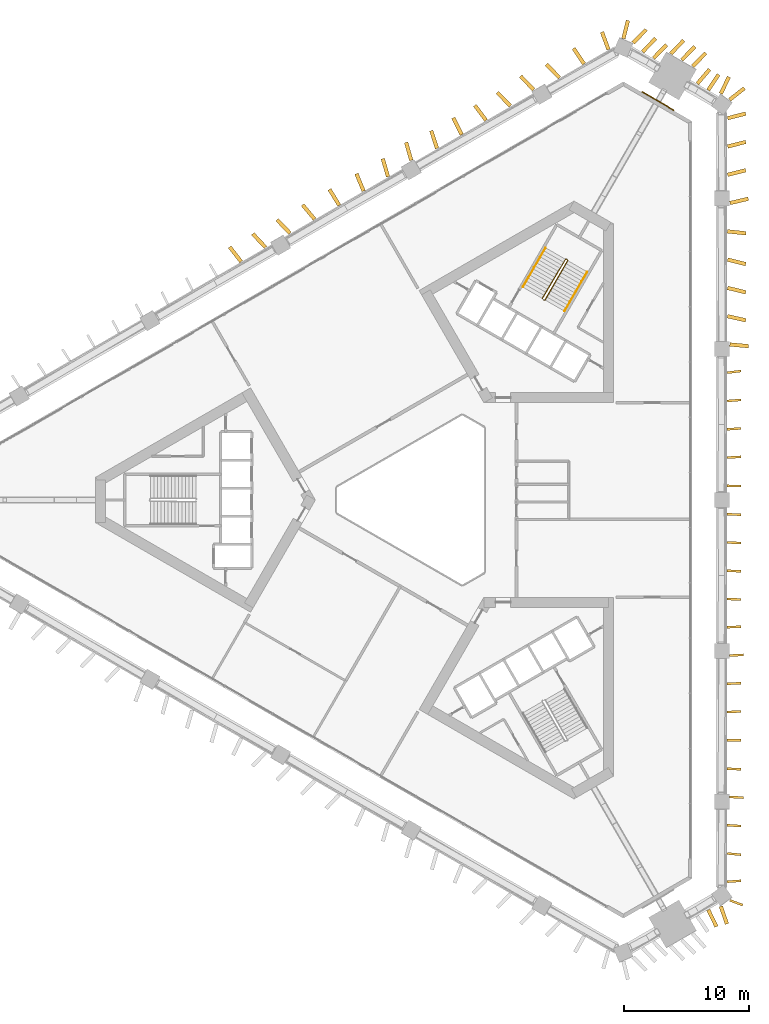
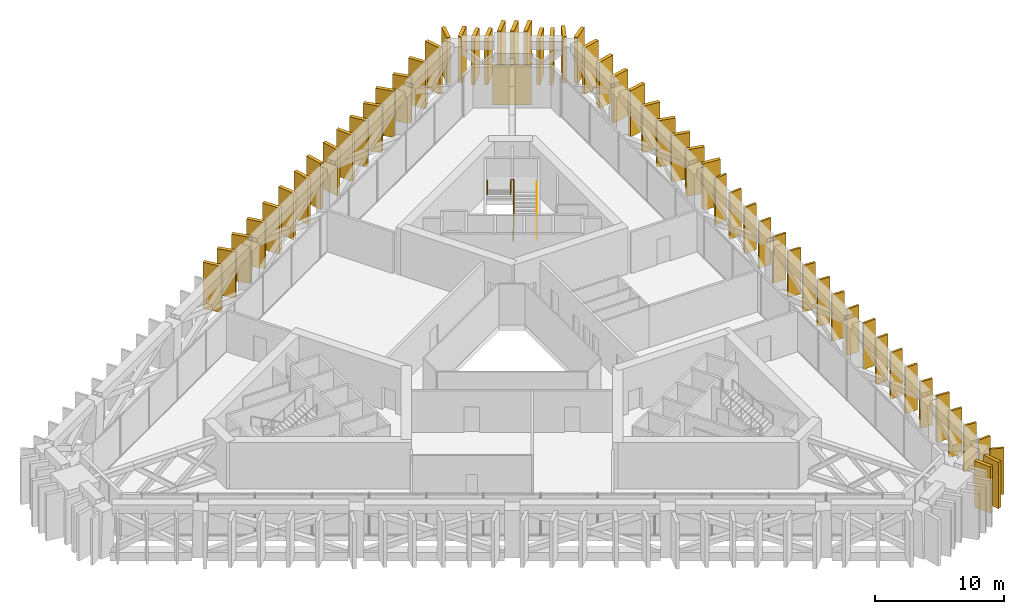
# One storey, part 18 of 18: 58 shading devices, 3 railings, 1 covering.
"""IFC4 building model written with IfcOpenShell, lengths in metres."""

from ifc_helpers import new_model, si_unit, direction, frame, frame_2d, origin, origin_2d, place, context, subcontext, project, spatial, rectangle, circle, extrude, material, layer, layer_set, type_object, element, save


model = new_model("IFC4")

# Units and contexts
model_context = context("Model", 3, precision=1e-05, world=origin(), true_north=direction((0.0, 1.0)))
body_context = subcontext(model_context, "Body", "Model", "MODEL_VIEW")
ifc_project = project(units=[si_unit("LENGTHUNIT", "METRE"), si_unit("AREAUNIT", "SQUARE_METRE"), si_unit("VOLUMEUNIT", "CUBIC_METRE"), si_unit("PLANEANGLEUNIT", "RADIAN"), si_unit("MASSUNIT", "GRAM", prefix="KILO")], contexts=[model_context])

# Site, building, storey
site_placement = place(None, origin())
site = spatial("IfcSite", under=ifc_project, at=site_placement, CompositionType="ELEMENT")
building_placement = place(site_placement, origin())
building = spatial("IfcBuilding", under=site, at=building_placement, Name="Jabali Bay Hotel Tower and Convention Centre", CompositionType="ELEMENT")
storey_placement = place(building_placement, frame((0.0, 0.0, 52.89990234375)))
storey = spatial("IfcBuildingStorey", under=building, at=storey_placement, Name="L11", CompositionType="ELEMENT", Elevation=52.89990234375)

# Shading devices
ifc_material_1 = material(Name="Precast concrete C60", Category="concrete")
ifc_layer_1 = layer(ifc_material_1, 0.179931640625)
ifc_layer_set_1 = layer_set([ifc_layer_1], Name="Precast concrete C60")
shading_device_type_1 = type_object("IfcShadingDeviceType", Name="Precast fin 4380 x 1100", PredefinedType="USERDEFINED", material=ifc_layer_set_1)
for number, where, z_axis, x_axis, name in (
    (1, (98.994140625, 49.412841796875, 0.010009765625), (0.0, 0.0, 1.0), (0.997347101298, 0.072792578822, 0.0), "Fin L11 000"),
    (2, (98.99560546875, 51.678466796875, 0.010009765625), (0.0, 0.0, 1.0), (0.996051735078, -0.088774664445, 0.0), "Fin L11 001"),
):
    element("IfcShadingDevice", number, at=place(storey_placement, frame(where, z_axis=z_axis, x_axis=x_axis)), inside=storey, type_object=shading_device_type_1, Name=name, ObjectType="FIN", PredefinedType="USERDEFINED", context=body_context, shape_type="SweptSolid", body=[
        extrude(rectangle(XDim=1.10009765625, YDim=0.179931640625, at=frame_2d((0.550048828125, 0.0))), origin(), (0.0, 0.0, 1.0), 4.380126953125),
    ])
shading_device_1_placement = place(storey_placement, frame((98.993408203125, 53.9443359375, 0.010009765625), z_axis=(0.0, 0.0, 1.0), x_axis=(0.997911947215, -0.064589051744, 0.0)))
element("IfcShadingDevice", 3, at=shading_device_1_placement, inside=storey, type_object=shading_device_type_1, Name="Fin L11 002", ObjectType="FIN", PredefinedType="USERDEFINED", context=body_context, shape_type="SweptSolid", body=[
    extrude(rectangle(XDim=1.099853515625, YDim=0.179931640625, at=frame_2d((0.5498046875, 0.0))), origin(), (0.0, 0.0, 1.0), 4.380126953125),
])
shading_device_2_placement = place(storey_placement, frame((99.192626953125, 56.2099609375, 0.010009765625), z_axis=(0.0, 0.0, 1.0), x_axis=(0.998471940089, -0.055261060921, 0.0)))
element("IfcShadingDevice", 4, at=shading_device_2_placement, inside=storey, type_object=shading_device_type_1, Name="Fin L11 003", ObjectType="FIN", PredefinedType="USERDEFINED", context=body_context, shape_type="SweptSolid", body=[
    extrude(rectangle(XDim=1.10009765625, YDim=0.179931640625, at=frame_2d((0.550048828125, 0.0))), origin(), (0.0, 0.0, 1.0), 4.380126953125),
])
for number, where, z_axis, x_axis, name in (
    (5, (98.992431640625, 58.475830078125, 0.010009765625), (0.0, 0.0, 1.0), (0.998650137033, -0.051941349648, 0.0), "Fin L11 004"),
    (6, (98.98828125, 60.741455078125, 0.010009765625), (0.0, 0.0, 1.0), (0.999980685481, 0.006215196269, 0.0), "Fin L11 005"),
):
    element("IfcShadingDevice", number, at=place(storey_placement, frame(where, z_axis=z_axis, x_axis=x_axis)), inside=storey, type_object=shading_device_type_1, Name=name, ObjectType="FIN", PredefinedType="USERDEFINED", context=body_context, shape_type="SweptSolid", body=[
        extrude(rectangle(XDim=1.099853515625, YDim=0.179931640625, at=frame_2d((0.5498046875, 0.0))), origin(), (0.0, 0.0, 1.0), 4.380126953125),
    ])
for number, where, z_axis, x_axis, name in (
    (7, (98.9921875, 63.007080078125, 0.010009765625), (0.0, 0.0, 1.0), (0.998741244889, 0.050159004743, 0.0), "Fin L11 006"),
    (8, (98.9921875, 65.27294921875, 0.010009765625), (0.0, 0.0, 1.0), (0.998763384036, 0.049716221783, 0.0), "Fin L11 007"),
    (9, (99.19189453125, 67.53857421875, 0.010009765625), (0.0, 0.0, 1.0), (0.998763384036, 0.049716221783, 0.0), "Fin L11 008"),
    (10, (98.991455078125, 69.80419921875, 0.010009765625), (0.0, 0.0, 1.0), (0.999072832584, 0.043052005669, 0.0), "Fin L11 009"),
):
    element("IfcShadingDevice", number, at=place(storey_placement, frame(where, z_axis=z_axis, x_axis=x_axis)), inside=storey, type_object=shading_device_type_1, Name=name, ObjectType="FIN", PredefinedType="USERDEFINED", context=body_context, shape_type="SweptSolid", body=[
        extrude(rectangle(XDim=1.10009765625, YDim=0.179931640625, at=frame_2d((0.550048828125, 0.0))), origin(), (0.0, 0.0, 1.0), 4.380126953125),
    ])
shading_device_3_placement = place(storey_placement, frame((98.991455078125, 72.070068359375, 0.010009765625), z_axis=(0.0, 0.0, 1.0), x_axis=(0.999147249323, -0.041288910992, 0.0)))
element("IfcShadingDevice", 11, at=shading_device_3_placement, inside=storey, type_object=shading_device_type_1, Name="Fin L11 010", ObjectType="FIN", PredefinedType="USERDEFINED", context=body_context, shape_type="SweptSolid", body=[
    extrude(rectangle(XDim=1.099853515625, YDim=0.179931640625, at=frame_2d((0.5498046875, 0.0))), origin(), (0.0, 0.0, 1.0), 4.380126953125),
])
for number, where, z_axis, x_axis, name in (
    (12, (98.9921875, 74.335693359375, 0.010009765625), (0.0, 0.0, 1.0), (0.998763384036, -0.049716221783, 0.0), "Fin L11 011"),
    (13, (98.9921875, 76.601318359375, 0.010009765625), (0.0, 0.0, 1.0), (0.998752338878, -0.049937616944, 0.0), "Fin L11 012"),
    (14, (98.9921875, 78.8671875, 0.010009765625), (0.0, 0.0, 1.0), (0.998730102076, -0.050380385149, 0.0), "Fin L11 013"),
    (15, (98.98828125, 81.1328125, 0.010009765625), (0.0, 0.0, 1.0), (0.999968086691, -0.00798909257, 0.0), "Fin L11 014"),
    (16, (98.992431640625, 83.398681640625, 0.010009765625), (0.0, 0.0, 1.0), (0.998532558156, 0.05415468864, 0.0), "Fin L11 015"),
    (17, (98.9931640625, 85.664306640625, 0.010009765625), (0.0, 0.0, 1.0), (0.998094665527, 0.061701204584, 0.0), "Fin L11 016"),
):
    element("IfcShadingDevice", number, at=place(storey_placement, frame(where, z_axis=z_axis, x_axis=x_axis)), inside=storey, type_object=shading_device_type_1, Name=name, ObjectType="FIN", PredefinedType="USERDEFINED", context=body_context, shape_type="SweptSolid", body=[
        extrude(rectangle(XDim=1.10009765625, YDim=0.179931640625, at=frame_2d((0.550048828125, 0.0))), origin(), (0.0, 0.0, 1.0), 4.380126953125),
    ])
for number, where, z_axis, x_axis, name in (
    (18, (98.9951171875, 87.929931640625, 0.010009765625), (0.0, 0.0, 1.0), (0.996658113766, 0.081686010215, 0.0), "Fin L11 017"),
    (19, (98.9990234375, 90.19580078125, 0.010009765625), (0.0, 0.0, 1.0), (0.992161339836, 0.124963497612, 0.0), "Fin L11 018"),
):
    element("IfcShadingDevice", number, at=place(storey_placement, frame(where, z_axis=z_axis, x_axis=x_axis)), inside=storey, type_object=shading_device_type_1, Name=name, ObjectType="FIN", PredefinedType="USERDEFINED", context=body_context, shape_type="SweptSolid", body=[
        extrude(rectangle(XDim=1.099853515625, YDim=0.179931640625, at=frame_2d((0.5498046875, 0.0))), origin(), (0.0, 0.0, 1.0), 4.380126953125),
    ])
shading_device_4_placement = place(storey_placement, frame((99.199462890625, 47.9267578125, 0.010009765625), z_axis=(0.0, 0.0, 1.0), x_axis=(0.937491487982, -0.348008203872, 0.0)))
element("IfcShadingDevice", 20, at=shading_device_4_placement, inside=storey, type_object=shading_device_type_1, Name="Fin L11 111", ObjectType="FIN", PredefinedType="USERDEFINED", context=body_context, shape_type="SweptSolid", body=[
    extrude(rectangle(XDim=1.10009765625, YDim=0.179931640625, at=frame_2d((0.550048828125, 0.0))), origin(), (0.0, 0.0, 1.0), 4.380126953125),
])
ifc_layer_2 = layer(ifc_material_1, 0.300048828125)
ifc_layer_set_2 = layer_set([ifc_layer_2], Name="Precast concrete C60")
shading_device_type_2 = type_object("IfcShadingDeviceType", Name="Precast fin 4380 x 1500", PredefinedType="USERDEFINED", material=ifc_layer_set_2)
for number, where, z_axis, x_axis, name in (
    (21, (99.201171875, 92.46142578125, 0.010009765625), (0.0, 0.0, 1.0), (0.99582219149, -0.091313541913, 0.0), "Fin L11 019"),
    (22, (99.02099609375, 94.72705078125, 0.010009765625), (0.0, 0.0, 1.0), (0.974969505796, -0.222338621856, 0.0), "Fin L11 020"),
):
    element("IfcShadingDevice", number, at=place(storey_placement, frame(where, z_axis=z_axis, x_axis=x_axis)), inside=storey, type_object=shading_device_type_2, Name=name, ObjectType="FIN", PredefinedType="USERDEFINED", context=body_context, shape_type="SweptSolid", body=[
        extrude(rectangle(XDim=1.5, YDim=0.300048828125, at=frame_2d((0.75, 0.0))), origin(), (0.0, 0.0, 1.0), 4.380126953125),
    ])
shading_device_5_placement = place(storey_placement, frame((99.0234375, 96.992919921875, 0.010009765625), z_axis=(0.0, 0.0, 1.0), x_axis=(0.971271210814, -0.237975282422, 0.0)))
element("IfcShadingDevice", 23, at=shading_device_5_placement, inside=storey, type_object=shading_device_type_2, Name="Fin L11 021", ObjectType="FIN", PredefinedType="USERDEFINED", context=body_context, shape_type="SweptSolid", body=[
    extrude(rectangle(XDim=1.499755859375, YDim=0.300048828125, at=frame_2d((0.75, 0.0))), origin(), (0.0, 0.0, 1.0), 4.380126953125),
])
for number, where, z_axis, x_axis, name in (
    (24, (99.024169921875, 99.258544921875, 0.010009765625), (0.0, 0.0, 1.0), (0.970104189424, -0.242688816515, 0.0), "Fin L11 022"),
    (25, (99.003662109375, 101.524169921875, 0.010009765625), (0.0, 0.0, 1.0), (0.994318386411, -0.106446918434, 0.0), "Fin L11 023"),
    (26, (99.22216796875, 103.7900390625, 0.010009765625), (0.0, 0.0, 1.0), (0.973083168892, 0.23045421762, 0.0), "Fin L11 024"),
):
    element("IfcShadingDevice", number, at=place(storey_placement, frame(where, z_axis=z_axis, x_axis=x_axis)), inside=storey, type_object=shading_device_type_2, Name=name, ObjectType="FIN", PredefinedType="USERDEFINED", context=body_context, shape_type="SweptSolid", body=[
        extrude(rectangle(XDim=1.5, YDim=0.300048828125, at=frame_2d((0.75, 0.0))), origin(), (0.0, 0.0, 1.0), 4.380126953125),
    ])
for number, where, z_axis, x_axis, name in (
    (27, (99.0244140625, 106.0556640625, 0.010009765625), (0.0, 0.0, 1.0), (0.969652207963, 0.244488436522, 0.0), "Fin L11 025"),
    (28, (99.0244140625, 108.321533203125, 0.010009765625), (0.0, 0.0, 1.0), (0.969652207963, 0.244488436522, 0.0), "Fin L11 026"),
    (29, (99.0244140625, 110.587158203125, 0.010009765625), (0.0, 0.0, 1.0), (0.969652207963, 0.244488436522, 0.0), "Fin L11 027"),
):
    element("IfcShadingDevice", number, at=place(storey_placement, frame(where, z_axis=z_axis, x_axis=x_axis)), inside=storey, type_object=shading_device_type_2, Name=name, ObjectType="FIN", PredefinedType="USERDEFINED", context=body_context, shape_type="SweptSolid", body=[
        extrude(rectangle(XDim=1.499755859375, YDim=0.300048828125, at=frame_2d((0.75, 0.0))), origin(), (0.0, 0.0, 1.0), 4.380126953125),
    ])
for number, where, z_axis, x_axis, name in (
    (30, (98.4814453125, 112.55078125, 0.010009765625), (0.0, 0.0, 1.0), (0.434079857909, 0.900874395772, 0.0), "Fin L11 028"),
    (31, (97.4736328125, 112.83544921875, 0.010009765625), (0.0, 0.0, 1.0), (0.551089332745, 0.834446251915, 0.0), "Fin L11 029"),
):
    element("IfcShadingDevice", number, at=place(storey_placement, frame(where, z_axis=z_axis, x_axis=x_axis)), inside=storey, type_object=shading_device_type_2, Name=name, ObjectType="FIN", PredefinedType="USERDEFINED", context=body_context, shape_type="SweptSolid", body=[
        extrude(rectangle(XDim=1.5, YDim=0.300048828125, at=frame_2d((0.75, 0.0))), origin(), (0.0, 0.0, 1.0), 4.380126953125),
    ])
shading_device_6_placement = place(storey_placement, frame((96.603759765625, 113.35888671875, 0.010009765625), z_axis=(0.0, 0.0, 1.0), x_axis=(0.650483065766, 0.759520757551, 0.0)))
element("IfcShadingDevice", 32, at=shading_device_6_placement, inside=storey, type_object=shading_device_type_2, Name="Fin L11 030", ObjectType="FIN", PredefinedType="USERDEFINED", context=body_context, shape_type="SweptSolid", body=[
    extrude(rectangle(XDim=1.500244140625, YDim=0.300048828125, at=frame_2d((0.75, 0.0))), origin(), (0.0, 0.0, 1.0), 4.380126953125),
])
shading_device_7_placement = place(storey_placement, frame((96.22900390625, 114.73974609375, 0.010009765625), z_axis=(0.0, 0.0, 1.0), x_axis=(0.696613402281, 0.717446700293, 0.0)))
element("IfcShadingDevice", 33, at=shading_device_7_placement, inside=storey, type_object=shading_device_type_2, Name="Fin L11 031", ObjectType="FIN", PredefinedType="USERDEFINED", context=body_context, shape_type="SweptSolid", body=[
    extrude(rectangle(XDim=1.5, YDim=0.300048828125, at=frame_2d((0.75, 0.0))), origin(), (0.0, 0.0, 1.0), 4.380126953125),
])
shading_device_8_placement = place(storey_placement, frame((95.349853515625, 115.2470703125, 0.010009765625), z_axis=(0.0, 0.0, 1.0), x_axis=(0.696532062554, 0.717525669112, 0.0)))
element("IfcShadingDevice", 34, at=shading_device_8_placement, inside=storey, type_object=shading_device_type_2, Name="Fin L11 032", ObjectType="FIN", PredefinedType="USERDEFINED", context=body_context, shape_type="SweptSolid", body=[
    extrude(rectangle(XDim=1.500244140625, YDim=0.300048828125, at=frame_2d((0.75, 0.0))), origin(), (0.0, 0.0, 1.0), 4.380126953125),
])
for number, where, z_axis, x_axis, name in (
    (35, (94.470947265625, 115.754638671875, 0.010009765625), (0.0, 0.0, 1.0), (0.696613402281, 0.717446700293, 0.0), "Fin L11 033"),
    (36, (93.09228515625, 115.39697265625, 0.010009765625), (0.0, 0.0, 1.0), (0.696613402281, 0.717446700293, 0.0), "Fin L11 034"),
    (37, (92.21337890625, 115.904296875, 0.010009765625), (0.0, 0.0, 1.0), (0.696448262157, 0.717607008145, 0.0), "Fin L11 035"),
):
    element("IfcShadingDevice", number, at=place(storey_placement, frame(where, z_axis=z_axis, x_axis=x_axis)), inside=storey, type_object=shading_device_type_2, Name=name, ObjectType="FIN", PredefinedType="USERDEFINED", context=body_context, shape_type="SweptSolid", body=[
        extrude(rectangle(XDim=1.5, YDim=0.300048828125, at=frame_2d((0.75, 0.0))), origin(), (0.0, 0.0, 1.0), 4.380126953125),
    ])
shading_device_9_placement = place(storey_placement, frame((91.450927734375, 116.61376953125, 0.010009765625), z_axis=(0.0, 0.0, 1.0), x_axis=(0.696529610542, 0.717528049374, 0.0)))
element("IfcShadingDevice", 38, at=shading_device_9_placement, inside=storey, type_object=shading_device_type_2, Name="Fin L11 036", ObjectType="FIN", PredefinedType="USERDEFINED", context=body_context, shape_type="SweptSolid", body=[
    extrude(rectangle(XDim=1.499755859375, YDim=0.300048828125, at=frame_2d((0.75, 0.0))), origin(), (0.0, 0.0, 1.0), 4.380126953125),
])
shading_device_10_placement = place(storey_placement, frame((89.482666015625, 116.08935546875, 0.010009765625), z_axis=(0.0, 0.0, 1.0), x_axis=(-0.347017471777, 0.937858664342, 0.0)))
element("IfcShadingDevice", 39, at=shading_device_10_placement, inside=storey, type_object=shading_device_type_2, Name="Fin L11 037", ObjectType="FIN", PredefinedType="USERDEFINED", context=body_context, shape_type="SweptSolid", body=[
    extrude(rectangle(XDim=1.5, YDim=0.300048828125, at=frame_2d((0.75, 0.0))), origin(), (0.0, 0.0, 1.0), 4.380126953125),
])
shading_device_11_placement = place(storey_placement, frame((87.528076171875, 114.94384765625, 0.010009765625), z_axis=(0.0, 0.0, 1.0), x_axis=(-0.559685266599, 0.828705256622, 0.0)))
element("IfcShadingDevice", 40, at=shading_device_11_placement, inside=storey, type_object=shading_device_type_2, Name="Fin L11 038", ObjectType="FIN", PredefinedType="USERDEFINED", context=body_context, shape_type="SweptSolid", body=[
    extrude(rectangle(XDim=1.500244140625, YDim=0.300048828125, at=frame_2d((0.75, 0.0))), origin(), (0.0, 0.0, 1.0), 4.380126953125),
])
for number, where, z_axis, x_axis, name in (
    (41, (85.552734375, 113.83349609375, 0.010009765625), (0.0, 0.0, 1.0), (-0.696613402281, 0.717446700293, 0.0), "Fin L11 039"),
    (42, (83.490478515625, 112.873779296875, 0.010009765625), (0.0, 0.0, 1.0), (-0.696448262157, 0.717607008145, 0.0), "Fin L11 040"),
    (43, (81.62841796875, 111.56787109375, 0.010009765625), (0.0, 0.0, 1.0), (-0.696613402281, 0.717446700293, 0.0), "Fin L11 041"),
    (44, (79.675537109375, 110.4189453125, 0.010009765625), (0.0, 0.0, 1.0), (-0.600624857373, 0.799530975451, 0.0), "Fin L11 042"),
    (45, (77.717529296875, 109.278564453125, 0.010009765625), (0.0, 0.0, 1.0), (-0.444020573726, 0.896016590308, 0.0), "Fin L11 043"),
):
    element("IfcShadingDevice", number, at=place(storey_placement, frame(where, z_axis=z_axis, x_axis=x_axis)), inside=storey, type_object=shading_device_type_2, Name=name, ObjectType="FIN", PredefinedType="USERDEFINED", context=body_context, shape_type="SweptSolid", body=[
        extrude(rectangle(XDim=1.5, YDim=0.300048828125, at=frame_2d((0.75, 0.0))), origin(), (0.0, 0.0, 1.0), 4.380126953125),
    ])
shading_device_12_placement = place(storey_placement, frame((75.74462890625, 108.16455078125, 0.010009765625), z_axis=(0.0, 0.0, 1.0), x_axis=(-0.307915612044, 0.95141367231, 0.0)))
element("IfcShadingDevice", 46, at=shading_device_12_placement, inside=storey, type_object=shading_device_type_2, Name="Fin L11 044", ObjectType="FIN", PredefinedType="USERDEFINED", context=body_context, shape_type="SweptSolid", body=[
    extrude(rectangle(XDim=1.500244140625, YDim=0.300048828125, at=frame_2d((0.75, 0.0))), origin(), (0.0, 0.0, 1.0), 4.380126953125),
])
for number, where, z_axis, x_axis, name in (
    (47, (73.679931640625, 107.20947265625, 0.010009765625), (0.0, 0.0, 1.0), (-0.273129894781, 0.961977162191, 0.0), "Fin L11 045"),
    (48, (71.81787109375, 105.90283203125, 0.010009765625), (0.0, 0.0, 1.0), (-0.277836752833, 0.960628304171, 0.0), "Fin L11 046"),
    (49, (69.864013671875, 104.755615234375, 0.010009765625), (0.0, 0.0, 1.0), (-0.384095286835, 0.923293458566, 0.0), "Fin L11 047"),
):
    element("IfcShadingDevice", number, at=place(storey_placement, frame(where, z_axis=z_axis, x_axis=x_axis)), inside=storey, type_object=shading_device_type_2, Name=name, ObjectType="FIN", PredefinedType="USERDEFINED", context=body_context, shape_type="SweptSolid", body=[
        extrude(rectangle(XDim=1.5, YDim=0.300048828125, at=frame_2d((0.75, 0.0))), origin(), (0.0, 0.0, 1.0), 4.380126953125),
    ])
shading_device_13_placement = place(storey_placement, frame((67.90966796875, 103.609375, 0.010009765625), z_axis=(0.0, 0.0, 1.0), x_axis=(-0.52108780254, 0.853503076763, 0.0)))
element("IfcShadingDevice", 50, at=shading_device_13_placement, inside=storey, type_object=shading_device_type_2, Name="Fin L11 048", ObjectType="FIN", PredefinedType="USERDEFINED", context=body_context, shape_type="SweptSolid", body=[
    extrude(rectangle(XDim=1.499755859375, YDim=0.300048828125, at=frame_2d((0.75, 0.0))), origin(), (0.0, 0.0, 1.0), 4.380126953125),
])
shading_device_14_placement = place(storey_placement, frame((65.936767578125, 102.4951171875, 0.010009765625), z_axis=(0.0, 0.0, 1.0), x_axis=(-0.639175243162, 0.769061121452, 0.0)))
element("IfcShadingDevice", 51, at=shading_device_14_placement, inside=storey, type_object=shading_device_type_2, Name="Fin L11 049", ObjectType="FIN", PredefinedType="USERDEFINED", context=body_context, shape_type="SweptSolid", body=[
    extrude(rectangle(XDim=1.5, YDim=0.300048828125, at=frame_2d((0.75, 0.0))), origin(), (0.0, 0.0, 1.0), 4.380126953125),
])
shading_device_15_placement = place(storey_placement, frame((63.96923828125, 101.37158203125, 0.010009765625), z_axis=(0.0, 0.0, 1.0), x_axis=(-0.692968817105, 0.72096755719, 0.0)))
element("IfcShadingDevice", 52, at=shading_device_15_placement, inside=storey, type_object=shading_device_type_2, Name="Fin L11 050", ObjectType="FIN", PredefinedType="USERDEFINED", context=body_context, shape_type="SweptSolid", body=[
    extrude(rectangle(XDim=1.499755859375, YDim=0.300048828125, at=frame_2d((0.75, 0.0))), origin(), (0.0, 0.0, 1.0), 4.380126953125),
])
for number, where, z_axis, x_axis, name in (
    (53, (62.008056640625, 100.237060546875, 0.010009765625), (0.0, 0.0, 1.0), (-0.684038569811, 0.72944584104, 0.0), "Fin L11 051"),
    (54, (60.052734375, 99.09228515625, 0.010009765625), (0.0, 0.0, 1.0), (-0.613455963168, 0.789728928971, 0.0), "Fin L11 052"),
):
    element("IfcShadingDevice", number, at=place(storey_placement, frame(where, z_axis=z_axis, x_axis=x_axis)), inside=storey, type_object=shading_device_type_2, Name=name, ObjectType="FIN", PredefinedType="USERDEFINED", context=body_context, shape_type="SweptSolid", body=[
        extrude(rectangle(XDim=1.5, YDim=0.300048828125, at=frame_2d((0.75, 0.0))), origin(), (0.0, 0.0, 1.0), 4.380126953125),
    ])
shading_device_16_placement = place(storey_placement, frame((97.47412109375, 47.163818359375, 0.010009765625), z_axis=(0.0, 0.0, 1.0), x_axis=(0.442453912095, -0.896791244199, 0.0)))
element("IfcShadingDevice", 55, at=shading_device_16_placement, inside=storey, type_object=shading_device_type_2, Name="Fin L11 109", ObjectType="FIN", PredefinedType="USERDEFINED", context=body_context, shape_type="SweptSolid", body=[
    extrude(rectangle(XDim=1.499755859375, YDim=0.300048828125, at=frame_2d((0.75, 0.0))), origin(), (0.0, 0.0, 1.0), 4.380126953125),
])
shading_device_17_placement = place(storey_placement, frame((98.482421875, 47.447265625, 0.010009765625), z_axis=(0.0, 0.0, 1.0), x_axis=(0.328261808325, -0.944586780129, 0.0)))
element("IfcShadingDevice", 56, at=shading_device_17_placement, inside=storey, type_object=shading_device_type_2, Name="Fin L11 110", ObjectType="FIN", PredefinedType="USERDEFINED", context=body_context, shape_type="SweptSolid", body=[
    extrude(rectangle(XDim=1.5, YDim=0.300048828125, at=frame_2d((0.75, 0.0))), origin(), (0.0, 0.0, 1.0), 4.380126953125),
])
shading_device_18_placement = place(storey_placement, frame((99.190673828125, 112.068115234375, 0.010009765625), z_axis=(0.0, 0.0, 1.0), x_axis=(0.786741806792, 0.617282212157, 0.0)))
element("IfcShadingDevice", 57, at=shading_device_18_placement, inside=storey, type_object=shading_device_type_2, Name="Fin L11 112", ObjectType="FIN", PredefinedType="USERDEFINED", context=body_context, shape_type="SweptSolid", body=[
    extrude(rectangle(XDim=1.499755859375, YDim=0.300048828125, at=frame_2d((0.75, 0.0))), origin(), (0.0, 0.0, 1.0), 4.380126953125),
])
shading_device_19_placement = place(storey_placement, frame((90.676513671875, 116.966796875, 0.010009765625), z_axis=(0.0, 0.0, 1.0), x_axis=(0.244449853491, 0.969661935485, 0.0)))
element("IfcShadingDevice", 58, at=shading_device_19_placement, inside=storey, type_object=shading_device_type_2, Name="Fin L11 113", ObjectType="FIN", PredefinedType="USERDEFINED", context=body_context, shape_type="SweptSolid", body=[
    extrude(rectangle(XDim=1.5, YDim=0.300048828125, at=frame_2d((0.75, 0.0))), origin(), (0.0, 0.0, 1.0), 4.380126953125),
])

# Covering
ifc_material_2 = material(Name="Precast concrete C40/50", Category="concrete")
ifc_layer_3 = layer(ifc_material_2, 0.080078125)
ifc_layer_set_3 = layer_set([ifc_layer_3], Name="Precast concrete C40/50")
covering_type = type_object("IfcCoveringType", Name="Relief panel 3000 x 3700", PredefinedType="CLADDING", material=ifc_layer_set_3)
covering_placement = place(storey_placement, frame((93.4521484375, 111.9599609375, 0.10009765625), z_axis=(0.0, 0.0, 1.0), x_axis=(0.866025390415, -0.500000023156, 0.0)))
element("IfcCovering", 59, at=covering_placement, inside=storey, type_object=covering_type, Name="Relief panel L11", PredefinedType="CLADDING", context=body_context, shape_type="SweptSolid", body=[
    extrude(rectangle(XDim=3.0, YDim=0.080078125, at=origin_2d()), origin(), (0.0, 0.0, 1.0), 3.699951171875),
])

# Railings
ifc_material_3 = material(Name="Steel Q355B", Category="steel")
railing_type_1 = type_object("IfcRailingType", Name="Stair guard 1100", PredefinedType="GUARDRAIL", material=ifc_material_3)
railing_1_placement = place(storey_placement, frame((84.329833984375, 96.010009765625, 0.0)))
element("IfcRailing", 60, at=railing_1_placement, inside=storey, type_object=railing_type_1, Name="L11 ST2 stair guard 1", PredefinedType="GUARDRAIL", context=body_context, shape_type="SweptSolid", body=[
    extrude(circle(Radius=0.02392578125, at=origin_2d()), frame((0.0, 0.0, 1.076171875), z_axis=(0.396471330136, 0.106197677715, 0.911884059312), x_axis=(-0.258736085224, 0.965948051503, 0.0)), (0.0, 0.0, 1.0), 0.17236328125),
    extrude(circle(Radius=0.02392578125, at=origin_2d()), frame((0.068359375, 0.018310546875, 1.2333984375), z_axis=(0.436031875999, 0.75520369992, 0.489431889787), x_axis=(-0.866018046521, 0.500012742938, 0.0)), (0.0, 0.0, 1.0), 4.174072265625),
    extrude(circle(Radius=0.02392578125, at=origin_2d()), frame((1.888427734375, 3.170654296875, 3.2763671875), z_axis=(-0.718850276695, 0.695164929852, 0.0), x_axis=(-0.695164929852, -0.718850276695, 0.0)), (0.0, 0.0, 1.0), 0.2060546875),
    extrude(circle(Radius=0.02392578125, at=origin_2d()), frame((1.740234375, 3.31396484375, 3.2763671875), z_axis=(-0.439537937446, -0.737980503376, 0.512046070372), x_axis=(0.859157857954, -0.511710636118, 0.0)), (0.0, 0.0, 1.0), 4.29638671875),
    extrude(circle(Radius=0.02099609375, at=origin_2d()), origin(), (0.0, 0.0, 1.0), 1.052001953125),
    extrude(circle(Radius=0.02099609375, at=origin_2d()), frame((0.068359375, 0.018310546875, 0.1572265625)), (0.0, 0.0, 1.0), 1.052001953125),
    extrude(circle(Radius=0.02099609375, at=origin_2d()), frame((0.5234375, 0.806396484375, 0.66796875)), (0.0, 0.0, 1.0), 1.052001953125),
    extrude(circle(Radius=0.02099609375, at=origin_2d()), frame((0.978515625, 1.594482421875, 1.1787109375)), (0.0, 0.0, 1.0), 1.052001953125),
    extrude(circle(Radius=0.02099609375, at=origin_2d()), frame((1.433349609375, 2.382568359375, 1.689453125)), (0.0, 0.0, 1.0), 1.052001953125),
    extrude(circle(Radius=0.02099609375, at=origin_2d()), frame((1.888427734375, 3.170654296875, 2.2001953125)), (0.0, 0.0, 1.0), 1.052001953125),
    extrude(circle(Radius=0.02099609375, at=origin_2d()), frame((1.740234375, 3.31396484375, 2.2001953125)), (0.0, 0.0, 1.0), 1.052001953125),
    extrude(circle(Radius=0.02099609375, at=origin_2d()), frame((1.26806640625, 2.521240234375, 2.750244140625)), (0.0, 0.0, 1.0), 1.052001953125),
    extrude(circle(Radius=0.02099609375, at=origin_2d()), frame((0.7958984375, 1.728515625, 3.30029296875)), (0.0, 0.0, 1.0), 1.052001953125),
    extrude(circle(Radius=0.02099609375, at=origin_2d()), frame((0.323974609375, 0.93603515625, 3.85009765625)), (0.0, 0.0, 1.0), 1.052001953125),
    extrude(circle(Radius=0.02099609375, at=origin_2d()), frame((-0.148193359375, 0.143310546875, 4.400146484375)), (0.0, 0.0, 1.0), 1.052001953125),
])
railing_type_2 = type_object("IfcRailingType", Name="Stair handrail 900", PredefinedType="HANDRAIL", material=ifc_material_3)
railing_2_placement = place(storey_placement, frame((85.95703125, 95.128173828125, 0.1572265625)))
element("IfcRailing", 61, at=railing_2_placement, inside=storey, type_object=railing_type_2, Name="L11 ST2 stair handrail 1", PredefinedType="HANDRAIL", context=body_context, shape_type="SweptSolid", body=[
    extrude(circle(Radius=0.02392578125, at=origin_2d()), frame((0.0, 0.0, 0.8759765625), z_axis=(0.436031875999, 0.75520369992, 0.489431889787), x_axis=(-0.866018046521, 0.500012742938, 0.0)), (0.0, 0.0, 1.0), 4.174072265625),
    extrude(circle(Radius=0.02099609375, at=origin_2d()), origin(), (0.0, 0.0, 1.0), 0.851806640625),
    extrude(circle(Radius=0.02099609375, at=origin_2d()), frame((0.455078125, 0.7880859375, 0.5107421875)), (0.0, 0.0, 1.0), 0.851806640625),
    extrude(circle(Radius=0.02099609375, at=origin_2d()), frame((0.91015625, 1.576171875, 1.021484375)), (0.0, 0.0, 1.0), 0.851806640625),
    extrude(circle(Radius=0.02099609375, at=origin_2d()), frame((1.364990234375, 2.3642578125, 1.5322265625)), (0.0, 0.0, 1.0), 0.851806640625),
    extrude(circle(Radius=0.02099609375, at=origin_2d()), frame((1.820068359375, 3.15234375, 2.04296875)), (0.0, 0.0, 1.0), 0.851806640625),
])
railing_3_placement = place(storey_placement, frame((84.44287109375, 100.20556640625, 2.357177734375)))
element("IfcRailing", 62, at=railing_3_placement, inside=storey, type_object=railing_type_2, Name="L11 ST2 stair handrail 2", PredefinedType="HANDRAIL", context=body_context, shape_type="SweptSolid", body=[
    extrude(circle(Radius=0.02392578125, at=origin_2d()), frame((0.0, 0.0, 0.8759765625), z_axis=(-0.436031875999, -0.75520369992, 0.489431889787), x_axis=(0.866018046521, -0.500012742938, 0.0)), (0.0, 0.0, 1.0), 4.174072265625),
    extrude(circle(Radius=0.02099609375, at=origin_2d()), origin(), (0.0, 0.0, 1.0), 0.851806640625),
    extrude(circle(Radius=0.02099609375, at=origin_2d()), frame((-0.455078125, -0.7880859375, 0.5107421875)), (0.0, 0.0, 1.0), 0.851806640625),
    extrude(circle(Radius=0.02099609375, at=origin_2d()), frame((-0.91015625, -1.576171875, 1.021484375)), (0.0, 0.0, 1.0), 0.851806640625),
    extrude(circle(Radius=0.02099609375, at=origin_2d()), frame((-1.364990234375, -2.3642578125, 1.5322265625)), (0.0, 0.0, 1.0), 0.851806640625),
    extrude(circle(Radius=0.02099609375, at=origin_2d()), frame((-1.820068359375, -3.15234375, 2.04296875)), (0.0, 0.0, 1.0), 0.851806640625),
])

save(model, "model.ifc")
